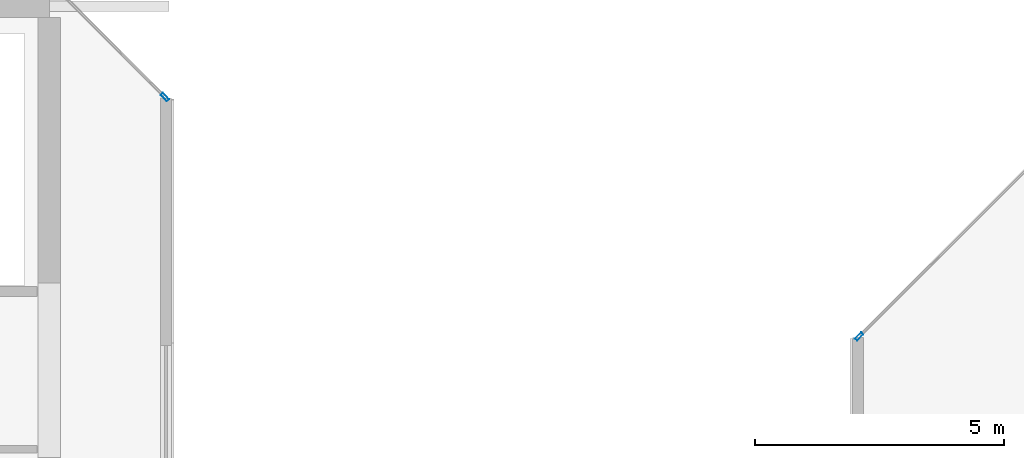
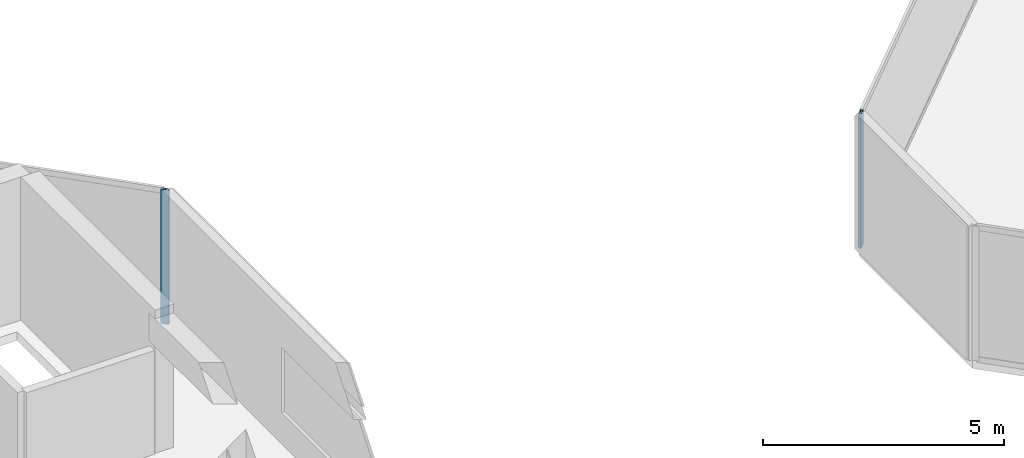
# One storey, part 8 of 28: 2 members, 2 elements without a shape of their own.
"""IFC4 building model written with IfcOpenShell, lengths in metres."""

from ifc_helpers import new_model, si_unit, direction, frame, origin, origin_2d, place, context, subcontext, project, spatial, hollow_rectangle, extrude, material, layer, layer_set, material_profile, profile_set, type_object, element, aggregate, save


model = new_model("IFC4")

# Units and contexts
model_context = context("Model", 3, precision=1e-05, world=origin(), true_north=direction((0.0, 1.0)))
body_context = subcontext(model_context, "Body", "Model", "MODEL_VIEW")
ifc_project = project(units=[si_unit("LENGTHUNIT", "METRE"), si_unit("AREAUNIT", "SQUARE_METRE"), si_unit("VOLUMEUNIT", "CUBIC_METRE"), si_unit("PLANEANGLEUNIT", "RADIAN"), si_unit("MASSUNIT", "GRAM", prefix="KILO")], contexts=[model_context])

# Site, building, storey
site_placement = place(None, origin())
site = spatial("IfcSite", under=ifc_project, at=site_placement, CompositionType="ELEMENT")
building_placement = place(site_placement, origin())
building = spatial("IfcBuilding", under=site, at=building_placement, Name="Tanjung Sevakor Pilgrim Tower", CompositionType="ELEMENT")
storey_placement = place(building_placement, frame((0.0, 0.0, 242.550048828125)))
storey = spatial("IfcBuildingStorey", under=building, at=storey_placement, Name="L68", CompositionType="ELEMENT", Elevation=242.550048828125)

# Curtain wall, member
ifc_material_1 = material(Name="Aluminium 6063-T6 and Low-E Glass", Category="aluminium")
ifc_layer = layer(ifc_material_1, 0.179931640625)
ifc_layer_set = layer_set([ifc_layer], Name="CW-SYS-CHAM")
curtain_wall_type = type_object("IfcCurtainWallType", Name="CW-SYS-CHAM", PredefinedType="NOTDEFINED", material=ifc_layer_set)
curtain_wall_1_placement = place(storey_placement, origin())
curtain_wall_1 = element("IfcCurtainWall", 1, at=curtain_wall_1_placement, inside=storey, type_object=curtain_wall_type, Name="L68 Curtain Wall CW-CHM-L68-WEST-3", PredefinedType="NOTDEFINED")
ifc_material_2 = material(Name="Aluminium 6063-T6", Category="aluminium")
ifc_material_profile = material_profile(ifc_material_2, hollow_rectangle(XDim=0.06494140625, YDim=0.179931640625, WallThickness=0.00390625, at=origin_2d()))
ifc_profile_set = profile_set([ifc_material_profile], Name="Aluminium 6063-T6")
member_type = type_object("IfcMemberType", Name="TYPE-CWM-1", PredefinedType="MULLION", material=ifc_profile_set)
member_1_placement = place(storey_placement, frame((38.317138671875, 40.77734375, 0.0), z_axis=(0.0, 0.0, 1.0), x_axis=(-0.707106781187, -0.707106781187, 0.0)))
member_1 = element("IfcMember", 2, at=member_1_placement, type_object=member_type, Name="CW-CHM mullion 1", PredefinedType="MULLION", context=body_context, shape_type="SweptSolid", body=[
    extrude(hollow_rectangle(XDim=0.06494140625, YDim=0.179931640625, WallThickness=0.00390625, at=origin_2d()), origin(), (0.0, 0.0, 1.0), 3.409912109375),
])
aggregate(curtain_wall_1, [member_1])

curtain_wall_2_placement = place(storey_placement, origin())
curtain_wall_2 = element("IfcCurtainWall", 3, at=curtain_wall_2_placement, inside=storey, type_object=curtain_wall_type, Name="L68 Curtain Wall CW-CHM-L68-EAST-5", PredefinedType="NOTDEFINED")
member_2_placement = place(storey_placement, frame((52.23291015625, 35.977294921875, 0.0), z_axis=(0.0, 0.0, 1.0), x_axis=(0.707106781187, -0.707106781187, 0.0)))
member_2 = element("IfcMember", 4, at=member_2_placement, type_object=member_type, Name="CW-CHM mullion 2", PredefinedType="MULLION", context=body_context, shape_type="SweptSolid", body=[
    extrude(hollow_rectangle(XDim=0.06494140625, YDim=0.179931640625, WallThickness=0.00390625, at=origin_2d()), origin(), (0.0, 0.0, 1.0), 3.409912109375),
])
aggregate(curtain_wall_2, [member_2])

save(model, "model.ifc")
